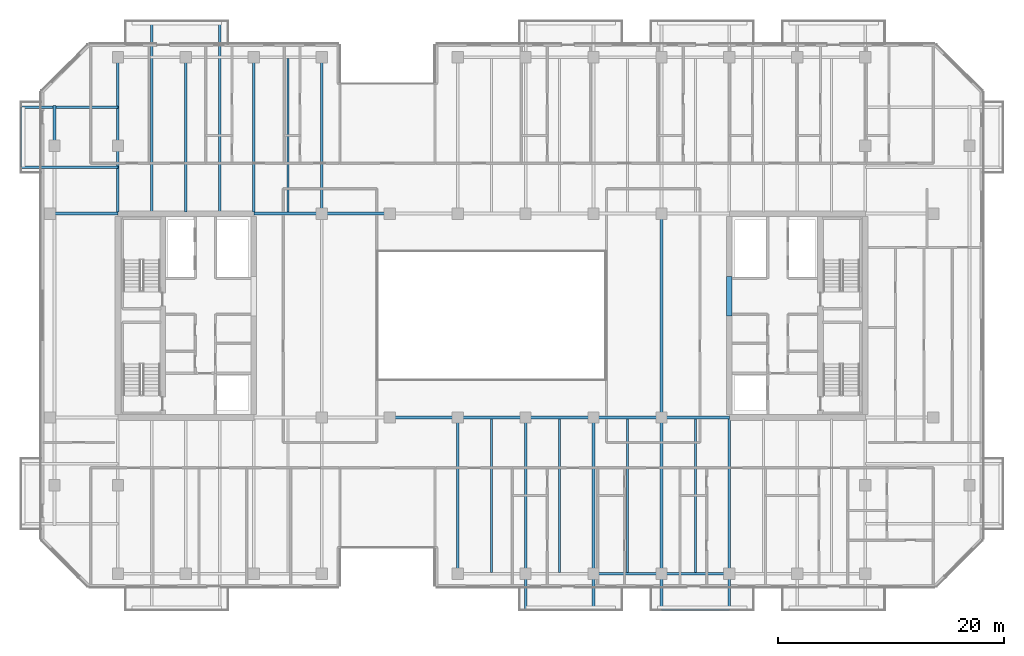
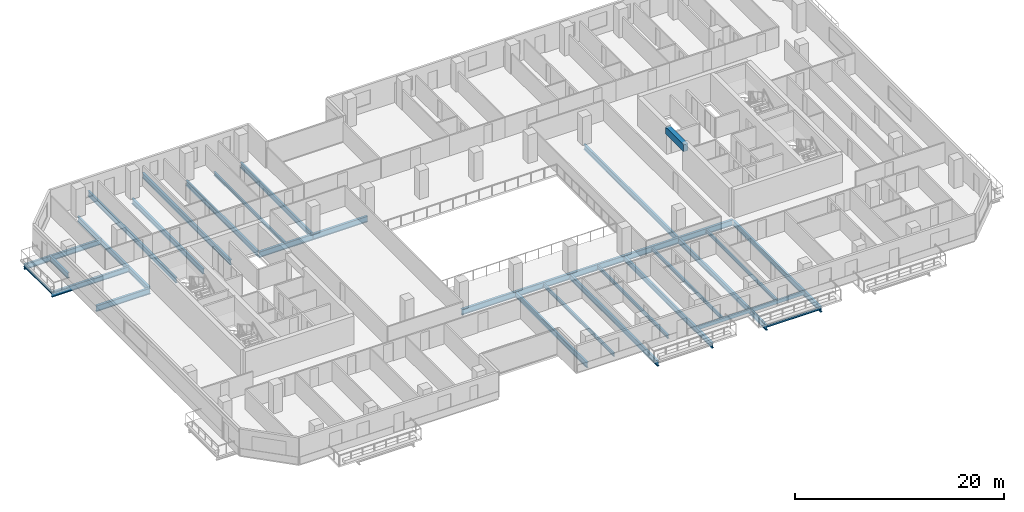
# One storey, part 5 of 23: 33 beams.
"""IFC4 building model written with IfcOpenShell, lengths in metres."""

from ifc_helpers import new_model, si_unit, direction, frame, origin, origin_2d, place, context, subcontext, project, spatial, rectangle, hollow_rectangle, i_section, extrude, material, material_profile, profile_set, type_object, element, save


model = new_model("IFC4")

# Units and contexts
model_context = context("Model", 3, precision=1e-05, world=origin(), true_north=direction((0.0, 1.0)))
body_context = subcontext(model_context, "Body", "Model", "MODEL_VIEW")
ifc_project = project(units=[si_unit("LENGTHUNIT", "METRE"), si_unit("AREAUNIT", "SQUARE_METRE"), si_unit("VOLUMEUNIT", "CUBIC_METRE"), si_unit("PLANEANGLEUNIT", "RADIAN"), si_unit("MASSUNIT", "GRAM", prefix="KILO")], contexts=[model_context])

# Site, building, storey
site_placement = place(None, origin())
site = spatial("IfcSite", under=ifc_project, at=site_placement, CompositionType="ELEMENT")
building_placement = place(site_placement, origin())
building = spatial("IfcBuilding", under=site, at=building_placement, Name="Tanjung Sevakor Pilgrim Tower", CompositionType="ELEMENT")
storey_placement = place(building_placement, frame((0.0, 0.0, 101.969970703125)))
storey = spatial("IfcBuildingStorey", under=building, at=storey_placement, Name="L28", CompositionType="ELEMENT", Elevation=101.969970703125)

# Beams
ifc_material_1 = material(Name="Steel S355J2", Category="steel")
ifc_material_profile_1 = material_profile(ifc_material_1, i_section(OverallWidth=0.25439453125, OverallDepth=0.6875, WebThickness=0.01318359375, FlangeThickness=0.02099609375, FilletRadius=0.01513671875, at=origin_2d()))
ifc_profile_set_1 = profile_set([ifc_material_profile_1], Name="Steel S355J2")
beam_type_1 = type_object("IfcBeamType", Name="BM-B-G2-UB_686x254x152", PredefinedType="BEAM", material=ifc_profile_set_1)
for number, where, z_axis, x_axis, name in (
    (1, (48.0, 24.60009765625, -0.563720703125), (1.0, 0.0, 0.0), (0.0, 1.0, 0.0), "L28 Primary Floor Girder MAIN Y246-04"),
    (2, (54.0, 24.60009765625, -0.563720703125), (1.0, 0.0, 0.0), (0.0, 1.0, 0.0), "L28 Primary Floor Girder MAIN Y246-05"),
    (3, (60.0, 24.60009765625, -0.563720703125), (1.0, 0.0, 0.0), (0.0, 1.0, 0.0), "L28 Primary Floor Girder MAIN Y246-06"),
    (4, (66.0, 24.60009765625, -0.563720703125), (1.0, 0.0, 0.0), (0.0, 1.0, 0.0), "L28 Primary Floor Girder MAIN Y246-07"),
    (5, (72.0, 24.60009765625, -0.563720703125), (1.0, 0.0, 0.0), (0.0, 1.0, 0.0), "L28 Primary Floor Girder MAIN Y246-08"),
    (6, (18.0, 42.60009765625, -0.563720703125), (1.0, 0.0, 0.0), (0.0, 1.0, 0.0), "L28 Primary Floor Girder MAIN Y426-01"),
    (7, (36.0, 42.60009765625, -0.563720703125), (1.0, 0.0, 0.0), (0.0, 1.0, 0.0), "L28 Primary Floor Girder MAIN Y426-02"),
    (8, (42.0, 42.60009765625, -0.563720703125), (1.0, 0.0, 0.0), (0.0, 1.0, 0.0), "L28 Primary Floor Girder MAIN Y426-03"),
):
    element("IfcBeam", number, at=place(storey_placement, frame(where, z_axis=z_axis, x_axis=x_axis)), inside=storey, type_object=beam_type_1, Name=name, PredefinedType="BEAM", context=body_context, shape_type="SweptSolid", body=[
        extrude(i_section(OverallWidth=0.25439453125, OverallDepth=0.6875, WebThickness=0.01318359375, FlangeThickness=0.02099609375, FilletRadius=0.01513671875, at=origin_2d()), origin(), (0.0, 0.0, 1.0), 6.0),
    ])
ifc_material_2 = material(Name="Steel S355J2", Category="steel")
ifc_material_profile_2 = material_profile(ifc_material_2, i_section(OverallWidth=0.230224609375, OverallDepth=0.6171875, WebThickness=0.01318359375, FlangeThickness=0.022216796875, FilletRadius=0.0126953125, at=origin_2d()))
ifc_profile_set_2 = profile_set([ifc_material_profile_2], Name="Steel S355J2")
beam_type_2 = type_object("IfcBeamType", Name="BM-B-G3-UB_610x229x140", PredefinedType="BEAM", material=ifc_profile_set_2)
for number, where, z_axis, x_axis, name in (
    (9, (24.0, 42.727294921875, -0.528564453125), (0.0, 1.0, 0.0), (-1.0, 0.0, 0.0), "L28 MAIN Girder 002"),
    (10, (30.0, 42.727294921875, -0.528564453125), (0.0, 1.0, 0.0), (-1.0, 0.0, 0.0), "L28 MAIN Girder 004"),
    (11, (36.0, 42.727294921875, -0.528564453125), (0.0, 1.0, 0.0), (-1.0, 0.0, 0.0), "L28 MAIN Girder 006"),
):
    element("IfcBeam", number, at=place(storey_placement, frame(where, z_axis=z_axis, x_axis=x_axis)), inside=storey, type_object=beam_type_2, Name=name, PredefinedType="BEAM", context=body_context, shape_type="SweptSolid", body=[
        extrude(i_section(OverallWidth=0.230224609375, OverallDepth=0.6171875, WebThickness=0.01318359375, FlangeThickness=0.022216796875, FilletRadius=0.0126953125, at=origin_2d()), origin(), (0.0, 0.0, 1.0), 13.672607421875),
    ])
beam_1_placement = place(storey_placement, frame((42.0, 42.60009765625, -0.528564453125), z_axis=(0.0, 1.0, 0.0), x_axis=(-1.0, 0.0, 0.0)))
element("IfcBeam", 12, at=beam_1_placement, inside=storey, type_object=beam_type_2, Name="L28 MAIN Girder 011", PredefinedType="BEAM", context=body_context, shape_type="SweptSolid", body=[
    extrude(i_section(OverallWidth=0.230224609375, OverallDepth=0.6171875, WebThickness=0.01318359375, FlangeThickness=0.022216796875, FilletRadius=0.0126953125, at=origin_2d()), origin(), (0.0, 0.0, 1.0), 13.7998046875),
])
beam_2_placement = place(storey_placement, frame((54.0, 10.800048828125, -0.528564453125), z_axis=(0.0, 1.0, 0.0), x_axis=(-1.0, 0.0, 0.0)))
element("IfcBeam", 13, at=beam_2_placement, inside=storey, type_object=beam_type_2, Name="L28 MAIN Girder 012", PredefinedType="BEAM", context=body_context, shape_type="SweptSolid", body=[
    extrude(i_section(OverallWidth=0.230224609375, OverallDepth=0.6171875, WebThickness=0.01318359375, FlangeThickness=0.022216796875, FilletRadius=0.0126953125, at=origin_2d()), origin(), (0.0, 0.0, 1.0), 13.800048828125),
])
for number, where, z_axis, x_axis, name in (
    (14, (60.0, 24.60009765625, -0.528564453125), (0.0, -1.0, 0.0), (1.0, 0.0, 0.0), "L28 Balcony Cantilever Beam MAIN-S2-1"),
    (15, (66.0, 24.60009765625, -0.528564453125), (0.0, -1.0, 0.0), (1.0, 0.0, 0.0), "L28 Balcony Cantilever Beam MAIN-S2-2"),
    (16, (72.0, 24.60009765625, -0.528564453125), (0.0, -1.0, 0.0), (1.0, 0.0, 0.0), "L28 Balcony Cantilever Beam MAIN-S3-1"),
):
    element("IfcBeam", number, at=place(storey_placement, frame(where, z_axis=z_axis, x_axis=x_axis)), inside=storey, type_object=beam_type_2, Name=name, PredefinedType="BEAM", context=body_context, shape_type="SweptSolid", body=[
        extrude(i_section(OverallWidth=0.230224609375, OverallDepth=0.6171875, WebThickness=0.01318359375, FlangeThickness=0.022216796875, FilletRadius=0.0126953125, at=origin_2d()), origin(), (0.0, 0.0, 1.0), 16.97998046875),
    ])
beam_3_placement = place(storey_placement, frame((72.0, 24.60009765625, -0.528564453125), z_axis=(0.0, 1.0, 0.0), x_axis=(-1.0, 0.0, 0.0)))
element("IfcBeam", 17, at=beam_3_placement, inside=storey, type_object=beam_type_2, Name="L28 MAIN Girder 020", PredefinedType="BEAM", context=body_context, shape_type="SweptSolid", body=[
    extrude(i_section(OverallWidth=0.230224609375, OverallDepth=0.6171875, WebThickness=0.01318359375, FlangeThickness=0.022216796875, FilletRadius=0.0126953125, at=origin_2d()), origin(), (0.0, 0.0, 1.0), 18.0),
])
beam_4_placement = place(storey_placement, frame((78.0, 24.47265625, -0.528564453125), z_axis=(0.0, -1.0, 0.0), x_axis=(1.0, 0.0, 0.0)))
element("IfcBeam", 18, at=beam_4_placement, inside=storey, type_object=beam_type_2, Name="L28 Balcony Cantilever Beam MAIN-S3-2", PredefinedType="BEAM", context=body_context, shape_type="SweptSolid", body=[
    extrude(i_section(OverallWidth=0.230224609375, OverallDepth=0.6171875, WebThickness=0.01318359375, FlangeThickness=0.022216796875, FilletRadius=0.0126953125, at=origin_2d()), origin(), (0.0, 0.0, 1.0), 16.8525390625),
])
ifc_material_3 = material(Name="Steel S355J2", Category="steel")
ifc_material_profile_3 = material_profile(ifc_material_3, i_section(OverallWidth=0.22900390625, OverallDepth=0.6123046875, WebThickness=0.011962890625, FlangeThickness=0.01953125, FilletRadius=0.0126953125, at=origin_2d()))
ifc_profile_set_3 = profile_set([ifc_material_profile_3], Name="Steel S355J2")
beam_type_3 = type_object("IfcBeamType", Name="BM-B-G4-UB_610x229x125", PredefinedType="BEAM", material=ifc_profile_set_3)
beam_5_placement = place(storey_placement, frame((18.39990234375, 48.60009765625, -0.526123046875), z_axis=(0.0, 1.0, 0.0), x_axis=(-1.0, 0.0, 0.0)))
element("IfcBeam", 19, at=beam_5_placement, inside=storey, type_object=beam_type_3, Name="L28 Short-End Edge Extension N-W", PredefinedType="BEAM", context=body_context, shape_type="SweptSolid", body=[
    extrude(i_section(OverallWidth=0.22900390625, OverallDepth=0.6123046875, WebThickness=0.011962890625, FlangeThickness=0.01953125, FilletRadius=0.0126953125, at=origin_2d()), origin(), (0.0, 0.0, 1.0), 3.5498046875),
])
for number, where, z_axis, x_axis, name in (
    (20, (24.0, 46.699951171875, -0.526123046875), (-1.0, 0.0, 0.0), (0.0, -1.0, 0.0), "L28 Balcony Overhanging Beam MAIN-W2-1"),
    (21, (24.0, 52.0, -0.526123046875), (-1.0, 0.0, 0.0), (0.0, -1.0, 0.0), "L28 Balcony Overhanging Beam MAIN-W2-2"),
):
    element("IfcBeam", number, at=place(storey_placement, frame(where, z_axis=z_axis, x_axis=x_axis)), inside=storey, type_object=beam_type_3, Name=name, PredefinedType="BEAM", context=body_context, shape_type="SweptSolid", body=[
        extrude(i_section(OverallWidth=0.22900390625, OverallDepth=0.6123046875, WebThickness=0.011962890625, FlangeThickness=0.01953125, FilletRadius=0.0126953125, at=origin_2d()), origin(), (0.0, 0.0, 1.0), 8.530029296875),
    ])
for number, where, z_axis, x_axis, name in (
    (22, (27.0, 42.727294921875, -0.526123046875), (0.0, 1.0, 0.0), (-1.0, 0.0, 0.0), "L28 Balcony Cantilever Beam MAIN-N1-1"),
    (23, (33.0, 42.727294921875, -0.526123046875), (0.0, 1.0, 0.0), (-1.0, 0.0, 0.0), "L28 Balcony Cantilever Beam MAIN-N1-2"),
):
    element("IfcBeam", number, at=place(storey_placement, frame(where, z_axis=z_axis, x_axis=x_axis)), inside=storey, type_object=beam_type_3, Name=name, PredefinedType="BEAM", context=body_context, shape_type="SweptSolid", body=[
        extrude(i_section(OverallWidth=0.22900390625, OverallDepth=0.6123046875, WebThickness=0.011962890625, FlangeThickness=0.01953125, FilletRadius=0.0126953125, at=origin_2d()), origin(), (0.0, 0.0, 1.0), 16.852783203125),
    ])
ifc_material_4 = material(Name="Steel S355J2", Category="steel")
ifc_material_profile_4 = material_profile(ifc_material_4, i_section(OverallWidth=0.1787109375, OverallDepth=0.409423828125, WebThickness=0.0087890625, FlangeThickness=0.014404296875, FilletRadius=0.01025390625, at=origin_2d()))
ifc_profile_set_4 = profile_set([ifc_material_profile_4], Name="Steel S355J2")
beam_type_4 = type_object("IfcBeamType", Name="BM-B-J3-UB_406x178x67", PredefinedType="JOIST", material=ifc_profile_set_4)
for number, where, z_axis, x_axis, name in (
    (24, (39.0, 42.727294921875, -0.424560546875), (0.0, 1.0, 0.0), (-1.0, 0.0, 0.0), "L28 MAIN Joist 008"),
    (25, (57.0, 10.89990234375, -0.424560546875), (0.0, 1.0, 0.0), (-1.0, 0.0, 0.0), "L28 MAIN Joist 014"),
    (26, (63.0, 10.89990234375, -0.424560546875), (0.0, 1.0, 0.0), (-1.0, 0.0, 0.0), "L28 MAIN Joist 016"),
    (27, (69.0, 10.89990234375, -0.424560546875), (0.0, 1.0, 0.0), (-1.0, 0.0, 0.0), "L28 MAIN Joist 018"),
    (28, (75.0, 10.89990234375, -0.424560546875), (0.0, 1.0, 0.0), (-1.0, 0.0, 0.0), "L28 MAIN Joist 021"),
):
    element("IfcBeam", number, at=place(storey_placement, frame(where, z_axis=z_axis, x_axis=x_axis)), inside=storey, type_object=beam_type_4, Name=name, PredefinedType="JOIST", context=body_context, shape_type="SweptSolid", body=[
        extrude(i_section(OverallWidth=0.1787109375, OverallDepth=0.409423828125, WebThickness=0.0087890625, FlangeThickness=0.014404296875, FilletRadius=0.01025390625, at=origin_2d()), origin(), (0.0, 0.0, 1.0), 13.57275390625),
    ])
ifc_material_5 = material(Name="Steel S355J2", Category="steel")
ifc_material_profile_5 = material_profile(ifc_material_5, i_section(OverallWidth=0.146484375, OverallDepth=0.256103515625, WebThickness=0.00634765625, FlangeThickness=0.010986328125, FilletRadius=0.007568359375, at=origin_2d()))
ifc_profile_set_5 = profile_set([ifc_material_profile_5], Name="Steel S355J2")
beam_type_5 = type_object("IfcBeamType", Name="BM-B-J6-UB_254x146x37", PredefinedType="JOIST", material=ifc_profile_set_5)
beam_6_placement = place(storey_placement, frame((72.0, 7.6201171875, -0.327880859375), z_axis=(1.0, 0.0, 0.0), x_axis=(0.0, 1.0, 0.0)))
element("IfcBeam", 29, at=beam_6_placement, inside=storey, type_object=beam_type_5, Name="L28 Balcony Rim Tie MAIN-S3", PredefinedType="JOIST", context=body_context, shape_type="SweptSolid", body=[
    extrude(i_section(OverallWidth=0.146484375, OverallDepth=0.256103515625, WebThickness=0.00634765625, FlangeThickness=0.010986328125, FilletRadius=0.007568359375, at=origin_2d()), origin(), (0.0, 0.0, 1.0), 6.0),
])
beam_7_placement = place(storey_placement, frame((15.469970703125, 46.699951171875, -0.327880859375), z_axis=(0.0, 1.0, 0.0), x_axis=(-1.0, 0.0, 0.0)))
element("IfcBeam", 30, at=beam_7_placement, inside=storey, type_object=beam_type_5, Name="L28 Balcony Rim Tie MAIN-W2", PredefinedType="JOIST", context=body_context, shape_type="SweptSolid", body=[
    extrude(i_section(OverallWidth=0.146484375, OverallDepth=0.256103515625, WebThickness=0.00634765625, FlangeThickness=0.010986328125, FilletRadius=0.007568359375, at=origin_2d()), origin(), (0.0, 0.0, 1.0), 5.300048828125),
])
ifc_material_6 = material(Name="Concrete C60/75", Category="concrete")
ifc_material_profile_6 = material_profile(ifc_material_6, rectangle(XDim=0.5, YDim=0.800048828125, at=origin_2d()))
ifc_profile_set_6 = profile_set([ifc_material_profile_6], Name="Concrete C60/75")
beam_type_6 = type_object("IfcBeamType", Name="BM-B-LN2-RC-BM_500x800", PredefinedType="LINTEL", material=ifc_profile_set_6)
beam_8_placement = place(storey_placement, frame((78.0, 33.550048828125, 2.679931640625), z_axis=(0.0, 1.0, 0.0), x_axis=(-1.0, 0.0, 0.0)))
element("IfcBeam", 31, at=beam_8_placement, inside=storey, type_object=beam_type_6, Name="L28 E Core Coupling Lintel", PredefinedType="LINTEL", context=body_context, shape_type="SweptSolid", body=[
    extrude(rectangle(XDim=0.5, YDim=0.800048828125, at=origin_2d()), origin(), (0.0, 0.0, 1.0), 3.5),
])
ifc_material_7 = material(Name="Steel S355J2", Category="steel")
ifc_material_profile_7 = material_profile(ifc_material_7, hollow_rectangle(XDim=0.199951171875, YDim=0.39990234375, WallThickness=0.01611328125, at=origin_2d()))
ifc_profile_set_7 = profile_set([ifc_material_profile_7], Name="Steel S355J2")
beam_type_7 = type_object("IfcBeamType", Name="BM-B-SP2-RHS_400x200x16", PredefinedType="SPANDREL", material=ifc_profile_set_7)
for number, where, z_axis, x_axis, name in (
    (32, (66.0, 10.800048828125, -0.419921875), (1.0, 0.0, 0.0), (0.0, 1.0, 0.0), "L28 Spandrel MAIN S-11"),
    (33, (72.0, 10.800048828125, -0.419921875), (1.0, 0.0, 0.0), (0.0, 1.0, 0.0), "L28 Spandrel MAIN S-13"),
):
    element("IfcBeam", number, at=place(storey_placement, frame(where, z_axis=z_axis, x_axis=x_axis)), inside=storey, type_object=beam_type_7, Name=name, PredefinedType="SPANDREL", context=body_context, shape_type="SweptSolid", body=[
        extrude(hollow_rectangle(XDim=0.199951171875, YDim=0.39990234375, WallThickness=0.01611328125, at=origin_2d()), origin(), (0.0, 0.0, 1.0), 6.0),
    ])

save(model, "model.ifc")
